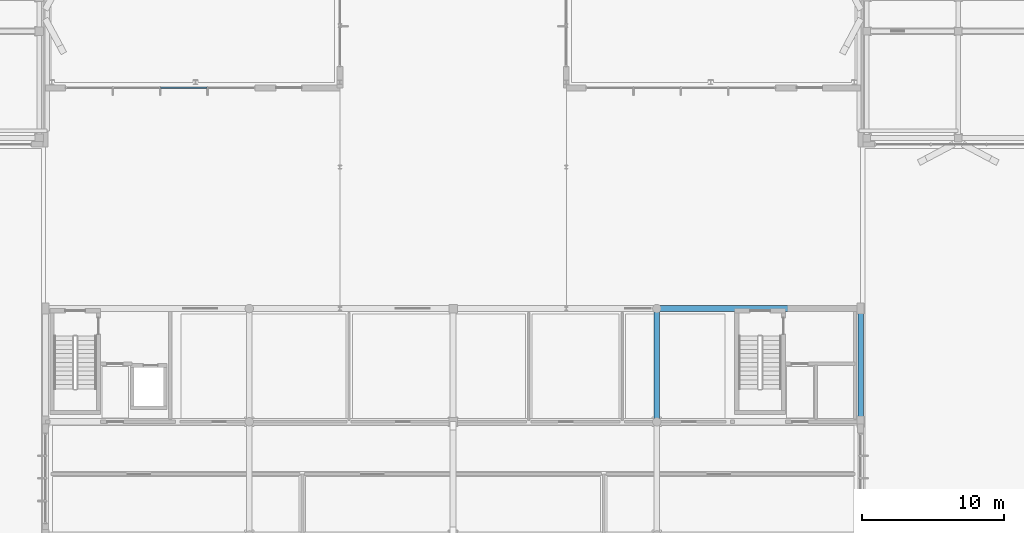
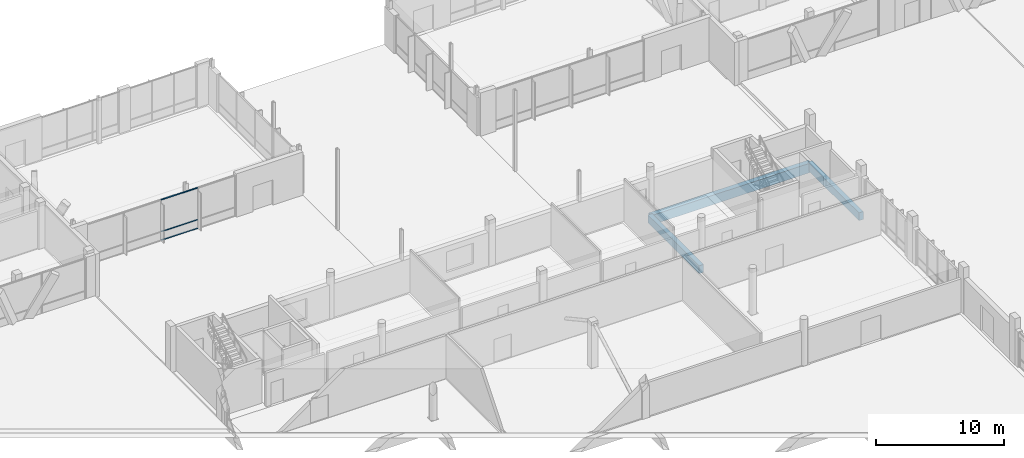
# One storey, part 123 of 233: 3 beams, 3 members, 1 element without a shape of its own.
"""IFC4 building model written with IfcOpenShell, lengths in metres."""

import ifcopenshell
import ifcopenshell.guid

model = None  # the IFC model being written
_history = None  # IfcOwnerHistory: only IFC2X3 demands one
_inside = {}  # id of a spatial element -> (the spatial element, [elements in it])
_under = {}  # id of a project, library or spatial element -> (it, [spatial elements below it])
_declared = {}  # id of a project -> (the project, [libraries it declares])
_typed = {}  # id of a type object -> (the type object, [elements of that type])
_made_of = {}  # id of a material, layer set ... -> (it, [elements and type objects made of it])


def new_model(schema):
    """Start an empty IFC model of exactly this schema.

    Asked for "IFC4X3", IfcOpenShell would pick the latest addendum, in which some entities
    have other attributes; the version numbers below select the first issue.
    IFC2X3 requires an IfcOwnerHistory on every rooted entity: one is made here for all.
    """
    global model, _history
    if schema == "IFC4X3":
        model = ifcopenshell.file(schema_version=(4, 3, 0, 0))
    else:
        model = ifcopenshell.file(schema=schema)
    _inside.clear()
    _under.clear()
    _declared.clear()
    _typed.clear()
    _made_of.clear()
    _history = None
    if model.schema == "IFC2X3":
        org = make("IfcOrganization", Name="unknown")
        user = make(
            "IfcPersonAndOrganization",
            ThePerson=make("IfcPerson", FamilyName="unknown"),
            TheOrganization=org,
        )
        app = make(
            "IfcApplication",
            ApplicationDeveloper=org,
            Version="unknown",
            ApplicationFullName="unknown",
            ApplicationIdentifier="unknown",
        )
        _history = make(
            "IfcOwnerHistory",
            OwningUser=user,
            OwningApplication=app,
            ChangeAction="ADDED",
            CreationDate=0,
        )
    return model


def make(cls, **values):
    """One entity of the class cls with the attributes given. An attribute that is None is left unset."""
    return model.create_entity(
        cls, **{name: value for name, value in values.items() if value is not None}
    )


def rooted(cls, **values):
    """An entity with a GlobalId (a new one), such as an element, a storey or a relation."""
    return make(cls, GlobalId=ifcopenshell.guid.new(), OwnerHistory=_history, **values)


def si_unit(unit_type, name, prefix=None):
    """IfcSIUnit, for example si_unit("LENGTHUNIT", "METRE", prefix="MILLI")."""
    return make("IfcSIUnit", UnitType=unit_type, Prefix=prefix, Name=name)


def assignment(units):
    """IfcUnitAssignment: the units of a project."""
    return None if units is None else make("IfcUnitAssignment", Units=units)


def point(xyz):
    """IfcCartesianPoint."""
    return None if xyz is None else make("IfcCartesianPoint", Coordinates=xyz)


def direction(xyz):
    """IfcDirection."""
    return None if xyz is None else make("IfcDirection", DirectionRatios=xyz)


def frame(location, z_axis=None, x_axis=None):
    """IfcAxis2Placement3D, a coordinate frame: its origin and axes. An axis left out is left unset."""
    return make(
        "IfcAxis2Placement3D",
        Location=point(location),
        Axis=direction(z_axis),
        RefDirection=direction(x_axis),
    )


def frame_2d(location, x_axis=None):
    """IfcAxis2Placement2D, a coordinate frame in the plane: its origin and x axis."""
    return make(
        "IfcAxis2Placement2D", Location=point(location), RefDirection=direction(x_axis)
    )


def origin():
    """The frame at (0, 0, 0) with its axes left unset."""
    return frame((0.0, 0.0, 0.0))


def origin_2d():
    """The frame at (0, 0) in the plane with its x axis left unset."""
    return frame_2d((0.0, 0.0))


def place(relative_to, where):
    """IfcLocalPlacement: puts the frame where relative to a parent placement (None: the world)."""
    return make(
        "IfcLocalPlacement", PlacementRelTo=relative_to, RelativePlacement=where
    )


def context(
    kind, dimensions, precision=None, world=None, true_north=None, identifier=None
):
    """IfcGeometricRepresentationContext, for example the 3D "Model" context."""
    return make(
        "IfcGeometricRepresentationContext",
        ContextIdentifier=identifier,
        ContextType=kind,
        CoordinateSpaceDimension=dimensions,
        Precision=precision,
        WorldCoordinateSystem=world,
        TrueNorth=true_north,
    )


def subcontext(parent, identifier, kind, view, scale=None):
    """IfcGeometricRepresentationSubContext, for example "Body" below "Model"."""
    return make(
        "IfcGeometricRepresentationSubContext",
        ContextIdentifier=identifier,
        ContextType=kind,
        ParentContext=parent,
        TargetScale=scale,
        TargetView=view,
    )


def project(units=None, contexts=None):
    """IfcProject with its units and contexts."""
    return rooted(
        "IfcProject",
        Name="project",
        RepresentationContexts=contexts,
        UnitsInContext=assignment(units),
    )


def spatial(cls, under=None, at=None, **own):
    """A site, building, storey or space (cls), placed at a placement, below another one or the project."""
    s = rooted(cls, ObjectPlacement=at, **own)
    if under is not None:
        _under.setdefault(under.id(), (under, []))[1].append(s)
    return s


def profile(cls, at=None, kind="AREA", **sizes):
    """A parametric profile (cls). Its sizes go by their IFC names, for example OverallWidth=200.0."""
    return make(cls, ProfileType=kind, Position=at, **sizes)


def rectangle(**sizes):
    """IfcRectangleProfileDef."""
    return profile("IfcRectangleProfileDef", **sizes)


def hollow_rectangle(**sizes):
    """IfcRectangleHollowProfileDef."""
    return profile("IfcRectangleHollowProfileDef", **sizes)


def extrude(swept, where, along, depth):
    """IfcExtrudedAreaSolid: the profile swept, set in the frame where, extruded along a direction by depth."""
    return make(
        "IfcExtrudedAreaSolid",
        SweptArea=swept,
        Position=where,
        ExtrudedDirection=direction(along),
        Depth=depth,
    )


def shape(context_of_items, identifier, shape_type, items):
    """IfcShapeRepresentation: the items that make up one representation, for example the "Body"."""
    return make(
        "IfcShapeRepresentation",
        ContextOfItems=context_of_items,
        RepresentationIdentifier=identifier,
        RepresentationType=shape_type,
        Items=items,
    )


def material(Name=None, Category=None):
    """IfcMaterial."""
    return make("IfcMaterial", Name=Name, Category=Category)


def material_profile(
    of_material, cross_section, Name=None, Category=None, Priority=None
):
    """IfcMaterialProfile: a cross section and its material."""
    return make(
        "IfcMaterialProfile",
        Name=Name,
        Material=of_material,
        Profile=cross_section,
        Priority=Priority,
        Category=Category,
    )


def profile_set(profiles, Name=None, composite=None):
    """IfcMaterialProfileSet."""
    return make(
        "IfcMaterialProfileSet",
        Name=Name,
        MaterialProfiles=profiles,
        CompositeProfile=composite,
    )


def made_of(thing, what):
    """Note that an element or type object is made of a material, layer set ...; save() writes the relation."""
    if what is not None:
        _made_of.setdefault(what.id(), (what, []))[1].append(thing)
    return thing


def type_object(cls, material=None, **own):
    """A type object (cls), such as IfcWallType, which elements share."""
    return made_of(rooted(cls, **own), material)


def element(
    cls,
    number,
    at=None,
    inside=None,
    cuts=None,
    type_object=None,
    material=None,
    context=None,
    identifier="Body",
    shape_type=None,
    held_by="IfcProductDefinitionShape",
    body=None,
    shapes=None,
    **own,
):
    """One element of the class cls, such as IfcWall. Its Tag is "e" and its number.

    at: its placement. inside: the storey or other place that contains it. cuts: it is an
    opening in that element (IfcRelVoidsElement). A single representation is given by context,
    identifier, shape_type and body (its items); several are given by shapes. held_by: the class
    of the entity that holds the representations. save() writes the other relations.
    """
    e = rooted(cls, Tag="e%d" % number, ObjectPlacement=at, **own)
    if body is not None:
        shapes = [shape(context, identifier, shape_type, body)]
    if shapes is not None:
        e.Representation = make(held_by, Representations=shapes)
    if inside is not None:
        _inside.setdefault(inside.id(), (inside, []))[1].append(e)
    if cuts is not None:
        rooted(
            "IfcRelVoidsElement", RelatingBuildingElement=cuts, RelatedOpeningElement=e
        )
    if type_object is not None:
        _typed.setdefault(type_object.id(), (type_object, []))[1].append(e)
    return made_of(e, material)


def aggregate(whole, parts):
    """IfcRelAggregates: a whole, such as a stair, and the parts it consists of."""
    return rooted("IfcRelAggregates", RelatingObject=whole, RelatedObjects=parts)


def save(model, path):
    """Write the relations noted so far, then the file.

    IfcRelAggregates (storeys below a building ...), IfcRelContainedInSpatialStructure (elements
    in a storey), IfcRelDefinesByType, IfcRelAssociatesMaterial and IfcRelDeclares: one each for
    every whole, place, type object, material and project.
    """
    for whole, parts in _under.values():
        aggregate(whole, parts)
    for where, things in _inside.values():
        rooted(
            "IfcRelContainedInSpatialStructure",
            RelatedElements=things,
            RelatingStructure=where,
        )
    for kind, things in _typed.values():
        rooted("IfcRelDefinesByType", RelatedObjects=things, RelatingType=kind)
    for what, things in _made_of.values():
        rooted("IfcRelAssociatesMaterial", RelatedObjects=things, RelatingMaterial=what)
    for by, libraries in _declared.values():
        rooted("IfcRelDeclares", RelatingContext=by, RelatedDefinitions=libraries)
    model.write(path)


model = new_model("IFC4")

# Units and contexts
model_context = context("Model", 3, precision=1e-05, world=origin(), true_north=direction((0.0, 1.0)))
body_context = subcontext(model_context, "Body", "Model", "MODEL_VIEW")
ifc_project = project(units=[si_unit("LENGTHUNIT", "METRE"), si_unit("AREAUNIT", "SQUARE_METRE"), si_unit("VOLUMEUNIT", "CUBIC_METRE"), si_unit("PLANEANGLEUNIT", "RADIAN"), si_unit("MASSUNIT", "GRAM", prefix="KILO")], contexts=[model_context])

# Site, building, storey
site_placement = place(None, origin())
site = spatial("IfcSite", under=ifc_project, at=site_placement, CompositionType="ELEMENT")
building_placement = place(site_placement, origin())
building = spatial("IfcBuilding", under=site, at=building_placement, Name="Zavelmont Quarter", CompositionType="ELEMENT")
storey_placement = place(building_placement, origin())
storey = spatial("IfcBuildingStorey", under=building, at=storey_placement, Name="L00", CompositionType="ELEMENT", Elevation=0.0)

# Beams
ifc_material_1 = material(Name="Concrete C40/50", Category="concrete")
ifc_material_profile_1 = material_profile(ifc_material_1, rectangle(XDim=0.39990234375, YDim=0.75, at=origin_2d()), Name="RC400X750")
ifc_profile_set_1 = profile_set([ifc_material_profile_1], Name="Concrete C40/50")
beam_type_1 = type_object("IfcBeamType", Name="BM05", PredefinedType="BEAM", material=ifc_profile_set_1)
for number, where, z_axis, x_axis, name in (
    (1, (98.39990234375, 78.0, -0.695068359375), (0.0, 1.0, 0.0), (-1.0, 0.0, 0.0), "L00 beam BM05 15/M to 15/N"),
    (2, (112.800048828125, 78.0, -0.695068359375), (0.0, 1.0, 0.0), (-1.0, 0.0, 0.0), "L00 beam BM05 17/M to 17/N"),
):
    element("IfcBeam", number, at=place(storey_placement, frame(where, z_axis=z_axis, x_axis=x_axis)), inside=storey, type_object=beam_type_1, Name=name, PredefinedType="BEAM", context=body_context, shape_type="SweptSolid", body=[
        extrude(rectangle(XDim=0.39990234375, YDim=0.75, at=origin_2d()), origin(), (0.0, 0.0, 1.0), 8.0),
    ])
ifc_material_profile_2 = material_profile(ifc_material_1, rectangle(XDim=0.449951171875, YDim=0.89990234375, at=origin_2d()), Name="RC450X900")
ifc_profile_set_2 = profile_set([ifc_material_profile_2], Name="Concrete C40/50")
beam_type_2 = type_object("IfcBeamType", Name="BM06", PredefinedType="BEAM", material=ifc_profile_set_2)
beam_placement = place(storey_placement, frame((98.39990234375, 86.0, -0.77001953125), z_axis=(1.0, 0.0, 0.0), x_axis=(0.0, 1.0, 0.0)))
element("IfcBeam", 3, at=beam_placement, inside=storey, type_object=beam_type_2, Name="L00 beam BM06 15/N to 17/N", PredefinedType="BEAM", context=body_context, shape_type="SweptSolid", body=[
    extrude(rectangle(XDim=0.449951171875, YDim=0.89990234375, at=origin_2d()), origin(), (0.0, 0.0, 1.0), 14.400146484375),
])

# Curtain wall, members
ifc_material_2 = material(Name="Thermally broken aluminium and double low-E safety glazing", Category="aluminium")
curtain_wall_type = type_object("IfcCurtainWallType", Name="CW-1340X390", PredefinedType="NOTDEFINED", material=ifc_material_2)
curtain_wall_placement = place(storey_placement, origin())
curtain_wall = element("IfcCurtainWall", 4, at=curtain_wall_placement, inside=storey, type_object=curtain_wall_type, Name="L00 unitised curtain wall CW-1340X390", PredefinedType="NOTDEFINED")
ifc_material_3 = material(Name="Powder-coated aluminium EN AW-6063-T6", Category="aluminium")
ifc_material_profile_3 = material_profile(ifc_material_3, hollow_rectangle(XDim=0.1201171875, YDim=0.06005859375, WallThickness=0.00390625, at=origin_2d()), Name="CWT60X120")
ifc_profile_set_3 = profile_set([ifc_material_profile_3], Name="Powder-coated aluminium EN AW-6063-T6")
member_type = type_object("IfcMemberType", Name="CWT01", PredefinedType="NOTDEFINED", material=ifc_profile_set_3)
member_1_placement = place(storey_placement, frame((63.330078125, 101.60009765625, 0.030029296875), z_axis=(1.0, 0.0, 0.0), x_axis=(0.0, 1.0, 0.0)))
member_1 = element("IfcMember", 5, at=member_1_placement, type_object=member_type, Name="CW-1340X390 transom 3.1", ObjectType="TRANSOM", PredefinedType="USERDEFINED", context=body_context, shape_type="SweptSolid", body=[
    extrude(hollow_rectangle(XDim=0.1201171875, YDim=0.06005859375, WallThickness=0.00390625, at=origin_2d()), origin(), (0.0, 0.0, 1.0), 3.2900390625),
])
member_2_placement = place(storey_placement, frame((63.330078125, 101.60009765625, 0.85009765625), z_axis=(1.0, 0.0, 0.0), x_axis=(0.0, 1.0, 0.0)))
member_2 = element("IfcMember", 6, at=member_2_placement, type_object=member_type, Name="CW-1340X390 transom 3.2", ObjectType="TRANSOM", PredefinedType="USERDEFINED", context=body_context, shape_type="SweptSolid", body=[
    extrude(hollow_rectangle(XDim=0.1201171875, YDim=0.06005859375, WallThickness=0.00390625, at=origin_2d()), origin(), (0.0, 0.0, 1.0), 3.2900390625),
])
member_3_placement = place(storey_placement, frame((63.330078125, 101.60009765625, 3.8701171875), z_axis=(1.0, 0.0, 0.0), x_axis=(0.0, 1.0, 0.0)))
member_3 = element("IfcMember", 7, at=member_3_placement, type_object=member_type, Name="CW-1340X390 transom 3.3", ObjectType="TRANSOM", PredefinedType="USERDEFINED", context=body_context, shape_type="SweptSolid", body=[
    extrude(hollow_rectangle(XDim=0.1201171875, YDim=0.06005859375, WallThickness=0.00390625, at=origin_2d()), origin(), (0.0, 0.0, 1.0), 3.2900390625),
])
aggregate(curtain_wall, [member_1, member_2, member_3])

save(model, "model.ifc")
